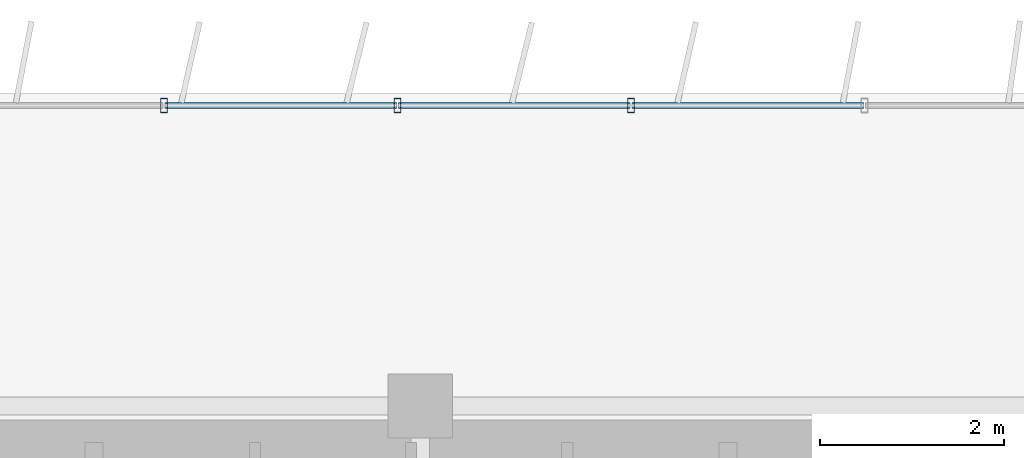
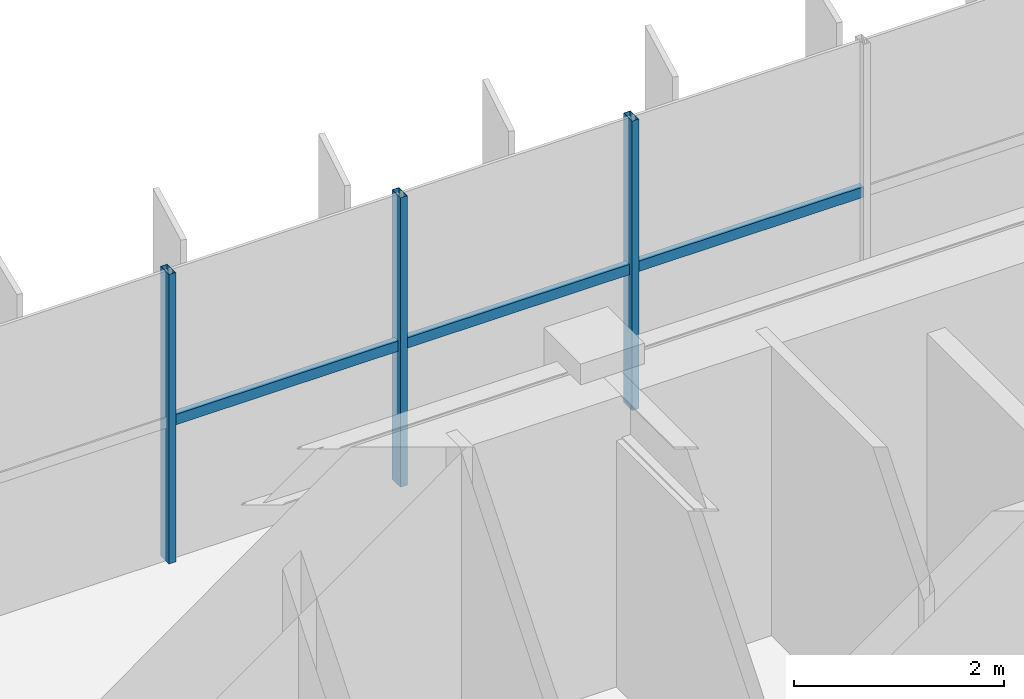
# One storey, part 22 of 35: 6 members, 1 element without a shape of its own.
"""IFC4 building model written with IfcOpenShell, lengths in metres."""

from ifc_helpers import new_model, si_unit, direction, frame, origin, origin_2d, place, context, subcontext, project, spatial, hollow_rectangle, extrude, source, transform, mapped, material, material_profile, profile_set, type_object, element, aggregate, save


model = new_model("IFC4")

# Units and contexts
model_context = context("Model", 3, precision=1e-05, world=origin(), true_north=direction((0.0, 1.0)))
body_context = subcontext(model_context, "Body", "Model", "MODEL_VIEW")
ifc_project = project(units=[si_unit("LENGTHUNIT", "METRE"), si_unit("AREAUNIT", "SQUARE_METRE"), si_unit("VOLUMEUNIT", "CUBIC_METRE"), si_unit("PLANEANGLEUNIT", "RADIAN"), si_unit("MASSUNIT", "GRAM", prefix="KILO")], contexts=[model_context])

# Site, building, storey
site_placement = place(None, origin())
site = spatial("IfcSite", under=ifc_project, at=site_placement, CompositionType="ELEMENT")
building_placement = place(site_placement, origin())
building = spatial("IfcBuilding", under=site, at=building_placement, Name="Trelvane Seafront Commons", CompositionType="ELEMENT")
storey_placement = place(building_placement, frame((0.0, 0.0, 194.10009765625)))
storey = spatial("IfcBuildingStorey", under=building, at=storey_placement, Name="L50", CompositionType="ELEMENT", Elevation=194.10009765625)

# Curtain wall, members
ifc_material = material(Name="Anodised pale-silver aluminium", Category="aluminium")
curtain_wall_type = type_object("IfcCurtainWallType", Name="ARCH-CW5-UPTOWER", PredefinedType="NOTDEFINED", material=ifc_material)
curtain_wall_placement = place(storey_placement, origin())
curtain_wall = element("IfcCurtainWall", 1, at=curtain_wall_placement, inside=storey, type_object=curtain_wall_type, Name="CW-L50-0078", PredefinedType="NOTDEFINED")
ifc_material_profile_1 = material_profile(ifc_material, hollow_rectangle(XDim=0.070068359375, YDim=0.1201171875, WallThickness=0.00390625, at=origin_2d()), Name="TRAN-70x120x4")
ifc_profile_set_1 = profile_set([ifc_material_profile_1], Name="Anodised pale-silver aluminium")
member_type_1 = type_object("IfcMemberType", Name="ARCH-CW-TRAN-120", PredefinedType="USERDEFINED", material=ifc_profile_set_1)
shared_shape_1 = source(origin(), body_context, "Body", "SweptSolid", [
    extrude(hollow_rectangle(XDim=0.070068359375, YDim=0.1201171875, WallThickness=0.00390625, at=origin_2d()), origin(), (0.0, 0.0, 1.0), 2.51708984375),
])
member_1_placement = place(storey_placement, frame((43.56494140625, 48.3701171875, 1.61279296875), z_axis=(1.0, 0.0, 0.0), x_axis=(0.0, 1.0, 0.0)))
member_1 = element("IfcMember", 2, at=member_1_placement, type_object=member_type_1, Name="CW-L50-0078-T11", ObjectType="TRANSOM", PredefinedType="USERDEFINED", context=body_context, shape_type="MappedRepresentation", body=[
    mapped(shared_shape_1, transform((0.0, 0.0, 0.0), x_axis=(1.0, 0.0, 0.0), y_axis=(0.0, 1.0, 0.0), z_axis=(0.0, 0.0, 1.0), scale=1.0)),
])
member_2_placement = place(storey_placement, frame((46.106201171875, 48.3701171875, 1.61279296875), z_axis=(1.0, 0.0, 0.0), x_axis=(0.0, 1.0, 0.0)))
member_2 = element("IfcMember", 3, at=member_2_placement, type_object=member_type_1, Name="CW-L50-0078-T12", ObjectType="TRANSOM", PredefinedType="USERDEFINED", context=body_context, shape_type="MappedRepresentation", body=[
    mapped(shared_shape_1, transform((0.0, 0.0, 0.0), x_axis=(1.0, 0.0, 0.0), y_axis=(0.0, 1.0, 0.0), z_axis=(0.0, 0.0, 1.0), scale=1.0)),
])
shared_shape_2 = source(origin(), body_context, "Body", "SweptSolid", [
    extrude(hollow_rectangle(XDim=0.070068359375, YDim=0.1201171875, WallThickness=0.00390625, at=origin_2d()), origin(), (0.0, 0.0, 1.0), 2.517333984375),
])
member_3_placement = place(storey_placement, frame((41.023681640625, 48.3701171875, 1.61279296875), z_axis=(1.0, 0.0, 0.0), x_axis=(0.0, 1.0, 0.0)))
member_3 = element("IfcMember", 4, at=member_3_placement, type_object=member_type_1, Name="CW-L50-0078-T10", ObjectType="TRANSOM", PredefinedType="USERDEFINED", context=body_context, shape_type="MappedRepresentation", body=[
    mapped(shared_shape_2, transform((0.0, 0.0, 0.0), x_axis=(1.0, 0.0, 0.0), y_axis=(0.0, 1.0, 0.0), z_axis=(0.0, 0.0, 1.0), scale=1.0)),
])
ifc_material_profile_2 = material_profile(ifc_material, hollow_rectangle(XDim=0.074951171875, YDim=0.159912109375, WallThickness=0.00390625, at=origin_2d()), Name="MULL-75x160x4")
ifc_profile_set_2 = profile_set([ifc_material_profile_2], Name="Anodised pale-silver aluminium")
member_type_2 = type_object("IfcMemberType", Name="ARCH-CW-MULL-160", PredefinedType="MULLION", material=ifc_profile_set_2)
shared_shape_3 = source(origin(), body_context, "Body", "SweptSolid", [
    extrude(hollow_rectangle(XDim=0.074951171875, YDim=0.159912109375, WallThickness=0.00390625, at=origin_2d()), origin(), (0.0, 0.0, 1.0), 3.35986328125),
])
member_4_placement = place(storey_placement, frame((41.01171875, 48.3701171875, 0.0), z_axis=(0.0, 0.0, 1.0), x_axis=(1.0, 0.0, 0.0)))
member_4 = element("IfcMember", 5, at=member_4_placement, type_object=member_type_2, Name="CW-L50-0078-M10", PredefinedType="MULLION", context=body_context, shape_type="MappedRepresentation", body=[
    mapped(shared_shape_3, transform((0.0, 0.0, 0.0), x_axis=(1.0, 0.0, 0.0), y_axis=(0.0, 1.0, 0.0), z_axis=(0.0, 0.0, 1.0), scale=1.0)),
])
member_5_placement = place(storey_placement, frame((43.552978515625, 48.3701171875, 0.0), z_axis=(0.0, 0.0, 1.0), x_axis=(1.0, 0.0, 0.0)))
member_5 = element("IfcMember", 6, at=member_5_placement, type_object=member_type_2, Name="CW-L50-0078-M11", PredefinedType="MULLION", context=body_context, shape_type="MappedRepresentation", body=[
    mapped(shared_shape_3, transform((0.0, 0.0, 0.0), x_axis=(1.0, 0.0, 0.0), y_axis=(0.0, 1.0, 0.0), z_axis=(0.0, 0.0, 1.0), scale=1.0)),
])
member_6_placement = place(storey_placement, frame((46.093994140625, 48.3701171875, 0.0), z_axis=(0.0, 0.0, 1.0), x_axis=(1.0, 0.0, 0.0)))
member_6 = element("IfcMember", 7, at=member_6_placement, type_object=member_type_2, Name="CW-L50-0078-M12", PredefinedType="MULLION", context=body_context, shape_type="MappedRepresentation", body=[
    mapped(shared_shape_3, transform((0.0, 0.0, 0.0), x_axis=(1.0, 0.0, 0.0), y_axis=(0.0, 1.0, 0.0), z_axis=(0.0, 0.0, 1.0), scale=1.0)),
])
aggregate(curtain_wall, [member_4, member_5, member_6, member_3, member_1, member_2])

save(model, "model.ifc")
